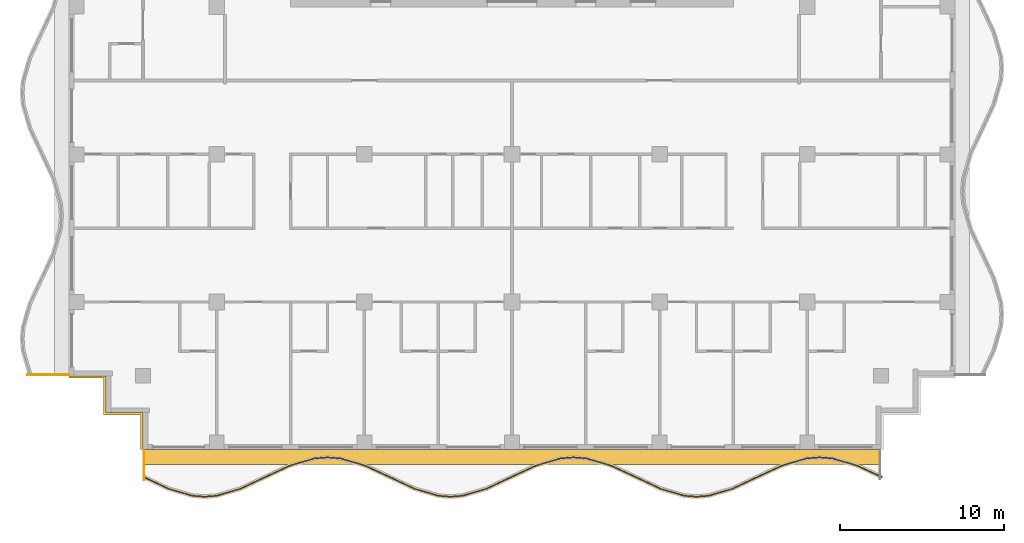
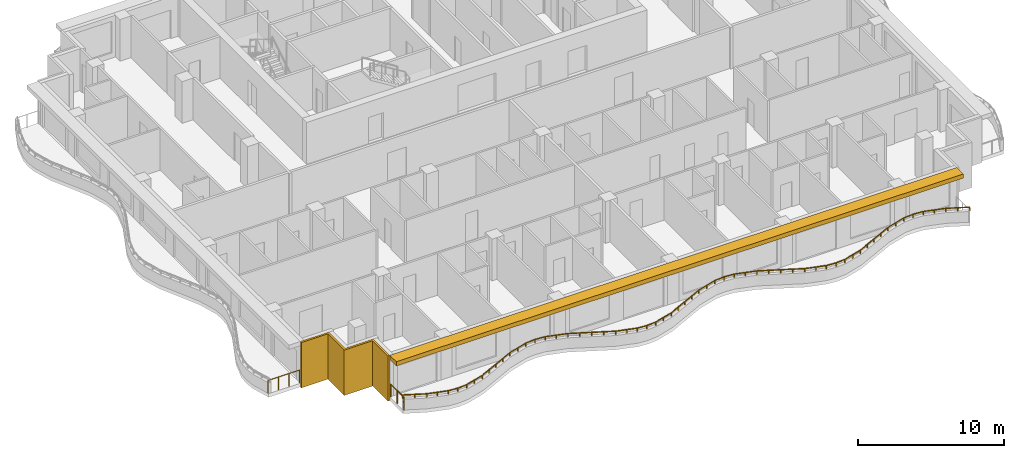
# One storey, part 8 of 11: 3 railings, 2 shading devices.
"""IFC4 building model written with IfcOpenShell, lengths in metres."""

from ifc_helpers import new_model, si_unit, direction, frame, origin, origin_2d, place, context, subcontext, project, spatial, polyline, rectangle, outline, extrude, material, layer, layer_set, type_object, element, save


model = new_model("IFC4")

# Units and contexts
model_context = context("Model", 3, precision=1e-05, world=origin(), true_north=direction((0.0, 1.0)))
body_context = subcontext(model_context, "Body", "Model", "MODEL_VIEW")
ifc_project = project(units=[si_unit("LENGTHUNIT", "METRE"), si_unit("AREAUNIT", "SQUARE_METRE"), si_unit("VOLUMEUNIT", "CUBIC_METRE"), si_unit("PLANEANGLEUNIT", "RADIAN"), si_unit("MASSUNIT", "GRAM", prefix="KILO")], contexts=[model_context])

# Site, building, storey
site_placement = place(None, origin())
site = spatial("IfcSite", under=ifc_project, at=site_placement, CompositionType="ELEMENT")
building_placement = place(site_placement, origin())
building = spatial("IfcBuilding", under=site, at=building_placement, Name="Orbiselva Terraces", CompositionType="ELEMENT")
storey_placement = place(building_placement, frame((0.0, 0.0, 273.0)))
storey = spatial("IfcBuildingStorey", under=building, at=storey_placement, Name="L69", CompositionType="ELEMENT", Elevation=273.0)

# Railings
ifc_material_1 = material(Name="Bonded two-ply safety glass balustrade, stainless steel posts", Category="steel")
railing_type_1 = type_object("IfcRailingType", Name="ENV-BALUSTRADE-1200", PredefinedType="BALUSTRADE", material=ifc_material_1)
railing_1_placement = place(storey_placement, frame((-22.446809, -24.186882, 0.9)))
element("IfcRailing", 1, at=railing_1_placement, inside=storey, type_object=railing_type_1, Name="Balcony balustrade L69 S", PredefinedType="BALUSTRADE", context=body_context, shape_type="SweptSolid", body=[
    extrude(outline(polyline([(0.028868, 0.0), (0.014434, 0.025), (-0.014434, 0.025), (-0.028868, 0.0), (-0.014434, -0.025), (0.014434, -0.025), (0.028868, 0.0)])), frame((0.0, 0.0, 0.275), z_axis=(0.904944359461, -0.425529912322, 0.0), x_axis=(0.425529912322, 0.904944359461, 0.0)), (0.0, 0.0, 1.0), 1.647746),
    extrude(outline(polyline([(0.028868, 0.0), (0.014434, 0.025), (-0.014434, 0.025), (-0.028868, 0.0), (-0.014434, -0.025), (0.014434, -0.025), (0.028868, 0.0)])), frame((1.491118, -0.701165, 0.275), z_axis=(0.960270317007, -0.279071528957, 0.0), x_axis=(0.279071528957, 0.960270317007, 0.0)), (0.0, 0.0, 1.0), 1.539408),
    extrude(outline(polyline([(0.028868, 0.0), (0.014434, 0.025), (-0.014434, 0.025), (-0.028868, 0.0), (-0.014434, -0.025), (0.014434, -0.025), (0.028868, 0.0)])), frame((2.969366, -1.13077, 0.275), z_axis=(0.996947916106, -0.078069536776, 0.0), x_axis=(0.078069536776, 0.996947916106, 0.0)), (0.0, 0.0, 1.0), 0.72967),
    extrude(outline(polyline([(0.028868, 0.0), (0.014434, 0.025), (-0.014434, 0.025), (-0.028868, 0.0), (-0.014434, -0.025), (0.014434, -0.025), (0.028868, 0.0)])), frame((3.696809, -1.187735, 0.275), z_axis=(0.996947916106, 0.078069536776, 0.0), x_axis=(-0.078069536776, 0.996947916106, 0.0)), (0.0, 0.0, 1.0), 0.72967),
    extrude(outline(polyline([(0.028868, 0.0), (0.014434, 0.025), (-0.014434, 0.025), (-0.028868, 0.0), (-0.014434, -0.025), (0.014434, -0.025), (0.028868, 0.0)])), frame((4.424252, -1.13077, 0.275), z_axis=(0.960270317007, 0.279071528957, 0.0), x_axis=(-0.279071528957, 0.960270317007, 0.0)), (0.0, 0.0, 1.0), 1.539408),
    extrude(outline(polyline([(0.028868, 0.0), (0.014434, 0.025), (-0.014434, 0.025), (-0.028868, 0.0), (-0.014434, -0.025), (0.014434, -0.025), (0.028868, 0.0)])), frame((5.9025, -0.701165, 0.275), z_axis=(0.904944359461, 0.425529912322, 0.0), x_axis=(-0.425529912322, 0.904944359461, 0.0)), (0.0, 0.0, 1.0), 1.647746),
    extrude(outline(polyline([(0.028868, 0.0), (0.014434, 0.025), (-0.014434, 0.025), (-0.028868, 0.0), (-0.014434, -0.025), (0.014434, -0.025), (0.028868, 0.0)])), frame((7.393618, 0.0, 0.275), z_axis=(0.904944157382, 0.425530342069, 0.0), x_axis=(-0.425530342069, 0.904944157382, 0.0)), (0.0, 0.0, 1.0), 1.667376),
    extrude(outline(polyline([(0.028868, 0.0), (0.014434, 0.025), (-0.014434, 0.025), (-0.028868, 0.0), (-0.014434, -0.025), (0.014434, -0.025), (0.028868, 0.0)])), frame((8.9025, 0.709519, 0.275), z_axis=(0.960270491427, 0.279070928786, 0.0), x_axis=(-0.279070928786, 0.960270491427, 0.0)), (0.0, 0.0, 1.0), 1.584712),
    extrude(outline(polyline([(0.028868, 0.0), (0.014434, 0.025), (-0.014434, 0.025), (-0.028868, 0.0), (-0.014434, -0.025), (0.014434, -0.025), (0.028868, 0.0)])), frame((10.424252, 1.151766, 0.275), z_axis=(0.996947796737, 0.078071061106, 0.0), x_axis=(-0.078071061106, 0.996947796737, 0.0)), (0.0, 0.0, 1.0), 0.774922),
    extrude(outline(polyline([(0.028868, 0.0), (0.014434, 0.025), (-0.014434, 0.025), (-0.028868, 0.0), (-0.014434, -0.025), (0.014434, -0.025), (0.028868, 0.0)])), frame((11.196809, 1.212265, 0.275), z_axis=(0.996947796737, -0.078071061106, 0.0), x_axis=(0.078071061106, 0.996947796737, 0.0)), (0.0, 0.0, 1.0), 0.774922),
    extrude(outline(polyline([(0.028868, 0.0), (0.014434, 0.025), (-0.014434, 0.025), (-0.028868, 0.0), (-0.014434, -0.025), (0.014434, -0.025), (0.028868, 0.0)])), frame((11.969366, 1.151766, 0.275), z_axis=(0.960270491427, -0.279070928786, 0.0), x_axis=(0.279070928786, 0.960270491427, 0.0)), (0.0, 0.0, 1.0), 1.584712),
    extrude(outline(polyline([(0.028868, 0.0), (0.014434, 0.025), (-0.014434, 0.025), (-0.028868, 0.0), (-0.014434, -0.025), (0.014434, -0.025), (0.028868, 0.0)])), frame((13.491118, 0.709519, 0.275), z_axis=(0.904944157382, -0.425530342069, 0.0), x_axis=(0.425530342069, 0.904944157382, 0.0)), (0.0, 0.0, 1.0), 1.667376),
    extrude(outline(polyline([(0.028868, 0.0), (0.014434, 0.025), (-0.014434, 0.025), (-0.028868, 0.0), (-0.014434, -0.025), (0.014434, -0.025), (0.028868, 0.0)])), frame((15.0, 0.0, 0.275), z_axis=(0.904944359461, -0.425529912322, 0.0), x_axis=(0.425529912322, 0.904944359461, 0.0)), (0.0, 0.0, 1.0), 1.647746),
    extrude(outline(polyline([(0.028868, 0.0), (0.014434, 0.025), (-0.014434, 0.025), (-0.028868, 0.0), (-0.014434, -0.025), (0.014434, -0.025), (0.028868, 0.0)])), frame((16.491118, -0.701165, 0.275), z_axis=(0.960270317007, -0.279071528957, 0.0), x_axis=(0.279071528957, 0.960270317007, 0.0)), (0.0, 0.0, 1.0), 1.539408),
    extrude(outline(polyline([(0.028868, 0.0), (0.014434, 0.025), (-0.014434, 0.025), (-0.028868, 0.0), (-0.014434, -0.025), (0.014434, -0.025), (0.028868, 0.0)])), frame((17.969366, -1.13077, 0.275), z_axis=(0.996947916106, -0.078069536776, 0.0), x_axis=(0.078069536776, 0.996947916106, 0.0)), (0.0, 0.0, 1.0), 0.72967),
    extrude(outline(polyline([(0.028868, 0.0), (0.014434, 0.025), (-0.014434, 0.025), (-0.028868, 0.0), (-0.014434, -0.025), (0.014434, -0.025), (0.028868, 0.0)])), frame((18.696809, -1.187735, 0.275), z_axis=(0.996947916106, 0.078069536776, 0.0), x_axis=(-0.078069536776, 0.996947916106, 0.0)), (0.0, 0.0, 1.0), 0.72967),
    extrude(outline(polyline([(0.028868, 0.0), (0.014434, 0.025), (-0.014434, 0.025), (-0.028868, 0.0), (-0.014434, -0.025), (0.014434, -0.025), (0.028868, 0.0)])), frame((19.424252, -1.13077, 0.275), z_axis=(0.960270317007, 0.279071528957, 0.0), x_axis=(-0.279071528957, 0.960270317007, 0.0)), (0.0, 0.0, 1.0), 1.539408),
    extrude(outline(polyline([(0.028868, 0.0), (0.014434, 0.025), (-0.014434, 0.025), (-0.028868, 0.0), (-0.014434, -0.025), (0.014434, -0.025), (0.028868, 0.0)])), frame((20.9025, -0.701165, 0.275), z_axis=(0.904944359461, 0.425529912322, 0.0), x_axis=(-0.425529912322, 0.904944359461, 0.0)), (0.0, 0.0, 1.0), 1.647746),
    extrude(outline(polyline([(0.028868, 0.0), (0.014434, 0.025), (-0.014434, 0.025), (-0.028868, 0.0), (-0.014434, -0.025), (0.014434, -0.025), (0.028868, 0.0)])), frame((22.393618, 0.0, 0.275), z_axis=(0.904944157382, 0.425530342069, 0.0), x_axis=(-0.425530342069, 0.904944157382, 0.0)), (0.0, 0.0, 1.0), 1.667376),
    extrude(outline(polyline([(0.028868, 0.0), (0.014434, 0.025), (-0.014434, 0.025), (-0.028868, 0.0), (-0.014434, -0.025), (0.014434, -0.025), (0.028868, 0.0)])), frame((23.9025, 0.709519, 0.275), z_axis=(0.960270491427, 0.279070928786, 0.0), x_axis=(-0.279070928786, 0.960270491427, 0.0)), (0.0, 0.0, 1.0), 1.584712),
    extrude(outline(polyline([(0.028868, 0.0), (0.014434, 0.025), (-0.014434, 0.025), (-0.028868, 0.0), (-0.014434, -0.025), (0.014434, -0.025), (0.028868, 0.0)])), frame((25.424252, 1.151766, 0.275), z_axis=(0.996947796737, 0.078071061106, 0.0), x_axis=(-0.078071061106, 0.996947796737, 0.0)), (0.0, 0.0, 1.0), 0.774922),
    extrude(outline(polyline([(0.028868, 0.0), (0.014434, 0.025), (-0.014434, 0.025), (-0.028868, 0.0), (-0.014434, -0.025), (0.014434, -0.025), (0.028868, 0.0)])), frame((26.196809, 1.212265, 0.275), z_axis=(0.996947796737, -0.078071061106, 0.0), x_axis=(0.078071061106, 0.996947796737, 0.0)), (0.0, 0.0, 1.0), 0.774922),
    extrude(outline(polyline([(0.028868, 0.0), (0.014434, 0.025), (-0.014434, 0.025), (-0.028868, 0.0), (-0.014434, -0.025), (0.014434, -0.025), (0.028868, 0.0)])), frame((26.969366, 1.151766, 0.275), z_axis=(0.960270491427, -0.279070928786, 0.0), x_axis=(0.279070928786, 0.960270491427, 0.0)), (0.0, 0.0, 1.0), 1.584712),
    extrude(outline(polyline([(0.028868, 0.0), (0.014434, 0.025), (-0.014434, 0.025), (-0.028868, 0.0), (-0.014434, -0.025), (0.014434, -0.025), (0.028868, 0.0)])), frame((28.491118, 0.709519, 0.275), z_axis=(0.904944157382, -0.425530342069, 0.0), x_axis=(0.425530342069, 0.904944157382, 0.0)), (0.0, 0.0, 1.0), 1.667376),
    extrude(outline(polyline([(0.028868, 0.0), (0.014434, 0.025), (-0.014434, 0.025), (-0.028868, 0.0), (-0.014434, -0.025), (0.014434, -0.025), (0.028868, 0.0)])), frame((30.0, 0.0, 0.275), z_axis=(0.904944359461, -0.425529912322, 0.0), x_axis=(0.425529912322, 0.904944359461, 0.0)), (0.0, 0.0, 1.0), 1.647746),
    extrude(outline(polyline([(0.028868, 0.0), (0.014434, 0.025), (-0.014434, 0.025), (-0.028868, 0.0), (-0.014434, -0.025), (0.014434, -0.025), (0.028868, 0.0)])), frame((31.491118, -0.701165, 0.275), z_axis=(0.960270317007, -0.279071528957, 0.0), x_axis=(0.279071528957, 0.960270317007, 0.0)), (0.0, 0.0, 1.0), 1.539408),
    extrude(outline(polyline([(0.028868, 0.0), (0.014434, 0.025), (-0.014434, 0.025), (-0.028868, 0.0), (-0.014434, -0.025), (0.014434, -0.025), (0.028868, 0.0)])), frame((32.969366, -1.13077, 0.275), z_axis=(0.996947916106, -0.078069536776, 0.0), x_axis=(0.078069536776, 0.996947916106, 0.0)), (0.0, 0.0, 1.0), 0.72967),
    extrude(outline(polyline([(0.028868, 0.0), (0.014434, 0.025), (-0.014434, 0.025), (-0.028868, 0.0), (-0.014434, -0.025), (0.014434, -0.025), (0.028868, 0.0)])), frame((33.696809, -1.187735, 0.275), z_axis=(0.996947916106, 0.078069536776, 0.0), x_axis=(-0.078069536776, 0.996947916106, 0.0)), (0.0, 0.0, 1.0), 0.72967),
    extrude(outline(polyline([(0.028868, 0.0), (0.014434, 0.025), (-0.014434, 0.025), (-0.028868, 0.0), (-0.014434, -0.025), (0.014434, -0.025), (0.028868, 0.0)])), frame((34.424252, -1.13077, 0.275), z_axis=(0.960270317007, 0.279071528957, 0.0), x_axis=(-0.279071528957, 0.960270317007, 0.0)), (0.0, 0.0, 1.0), 1.539408),
    extrude(outline(polyline([(0.028868, 0.0), (0.014434, 0.025), (-0.014434, 0.025), (-0.028868, 0.0), (-0.014434, -0.025), (0.014434, -0.025), (0.028868, 0.0)])), frame((35.9025, -0.701165, 0.275), z_axis=(0.904944359461, 0.425529912322, 0.0), x_axis=(-0.425529912322, 0.904944359461, 0.0)), (0.0, 0.0, 1.0), 1.647746),
    extrude(outline(polyline([(0.028868, 0.0), (0.014434, 0.025), (-0.014434, 0.025), (-0.028868, 0.0), (-0.014434, -0.025), (0.014434, -0.025), (0.028868, 0.0)])), frame((37.393618, 0.0, 0.275), z_axis=(0.904944157382, 0.425530342069, 0.0), x_axis=(-0.425530342069, 0.904944157382, 0.0)), (0.0, 0.0, 1.0), 1.667376),
    extrude(outline(polyline([(0.028868, 0.0), (0.014434, 0.025), (-0.014434, 0.025), (-0.028868, 0.0), (-0.014434, -0.025), (0.014434, -0.025), (0.028868, 0.0)])), frame((38.9025, 0.709519, 0.275), z_axis=(0.960270491427, 0.279070928786, 0.0), x_axis=(-0.279070928786, 0.960270491427, 0.0)), (0.0, 0.0, 1.0), 1.584712),
    extrude(outline(polyline([(0.028868, 0.0), (0.014434, 0.025), (-0.014434, 0.025), (-0.028868, 0.0), (-0.014434, -0.025), (0.014434, -0.025), (0.028868, 0.0)])), frame((40.424252, 1.151766, 0.275), z_axis=(0.996947796737, 0.078071061106, 0.0), x_axis=(-0.078071061106, 0.996947796737, 0.0)), (0.0, 0.0, 1.0), 0.774922),
    extrude(outline(polyline([(0.028868, 0.0), (0.014434, 0.025), (-0.014434, 0.025), (-0.028868, 0.0), (-0.014434, -0.025), (0.014434, -0.025), (0.028868, 0.0)])), frame((41.196809, 1.212265, 0.275), z_axis=(0.996947796737, -0.078071061106, 0.0), x_axis=(0.078071061106, 0.996947796737, 0.0)), (0.0, 0.0, 1.0), 0.774922),
    extrude(outline(polyline([(0.028868, 0.0), (0.014434, 0.025), (-0.014434, 0.025), (-0.028868, 0.0), (-0.014434, -0.025), (0.014434, -0.025), (0.028868, 0.0)])), frame((41.969366, 1.151766, 0.275), z_axis=(0.960270491427, -0.279070928786, 0.0), x_axis=(0.279070928786, 0.960270491427, 0.0)), (0.0, 0.0, 1.0), 1.584712),
    extrude(outline(polyline([(0.028868, 0.0), (0.014434, 0.025), (-0.014434, 0.025), (-0.028868, 0.0), (-0.014434, -0.025), (0.014434, -0.025), (0.028868, 0.0)])), frame((43.491118, 0.709519, 0.275), z_axis=(0.904944157382, -0.425530342069, 0.0), x_axis=(0.425530342069, 0.904944157382, 0.0)), (0.0, 0.0, 1.0), 1.667376),
    extrude(rectangle(XDim=0.05, YDim=0.05, at=origin_2d()), origin(), (0.0, 0.0, 1.0), 0.25),
    extrude(rectangle(XDim=0.05, YDim=0.05, at=origin_2d()), frame((0.745559, -0.350582, 0.0)), (0.0, 0.0, 1.0), 0.25),
    extrude(rectangle(XDim=0.05, YDim=0.05, at=origin_2d()), frame((1.491118, -0.701165, 0.0)), (0.0, 0.0, 1.0), 0.25),
    extrude(rectangle(XDim=0.05, YDim=0.05, at=origin_2d()), frame((2.230242, -0.915967, 0.0)), (0.0, 0.0, 1.0), 0.25),
    extrude(rectangle(XDim=0.05, YDim=0.05, at=origin_2d()), frame((2.969366, -1.13077, 0.0)), (0.0, 0.0, 1.0), 0.25),
    extrude(rectangle(XDim=0.05, YDim=0.05, at=origin_2d()), frame((3.696809, -1.187735, 0.0)), (0.0, 0.0, 1.0), 0.25),
    extrude(rectangle(XDim=0.05, YDim=0.05, at=origin_2d()), frame((4.424252, -1.13077, 0.0)), (0.0, 0.0, 1.0), 0.25),
    extrude(rectangle(XDim=0.05, YDim=0.05, at=origin_2d()), frame((5.163376, -0.915967, 0.0)), (0.0, 0.0, 1.0), 0.25),
    extrude(rectangle(XDim=0.05, YDim=0.05, at=origin_2d()), frame((5.9025, -0.701165, 0.0)), (0.0, 0.0, 1.0), 0.25),
    extrude(rectangle(XDim=0.05, YDim=0.05, at=origin_2d()), frame((6.648059, -0.350582, 0.0)), (0.0, 0.0, 1.0), 0.25),
    extrude(rectangle(XDim=0.05, YDim=0.05, at=origin_2d()), frame((7.393618, 0.0, 0.0)), (0.0, 0.0, 1.0), 0.25),
    extrude(rectangle(XDim=0.05, YDim=0.05, at=origin_2d()), frame((8.148059, 0.35476, 0.0)), (0.0, 0.0, 1.0), 0.25),
    extrude(rectangle(XDim=0.05, YDim=0.05, at=origin_2d()), frame((8.9025, 0.709519, 0.0)), (0.0, 0.0, 1.0), 0.25),
    extrude(rectangle(XDim=0.05, YDim=0.05, at=origin_2d()), frame((9.663376, 0.930643, 0.0)), (0.0, 0.0, 1.0), 0.25),
    extrude(rectangle(XDim=0.05, YDim=0.05, at=origin_2d()), frame((10.424252, 1.151766, 0.0)), (0.0, 0.0, 1.0), 0.25),
    extrude(rectangle(XDim=0.05, YDim=0.05, at=origin_2d()), frame((11.196809, 1.212265, 0.0)), (0.0, 0.0, 1.0), 0.25),
    extrude(rectangle(XDim=0.05, YDim=0.05, at=origin_2d()), frame((11.969366, 1.151766, 0.0)), (0.0, 0.0, 1.0), 0.25),
    extrude(rectangle(XDim=0.05, YDim=0.05, at=origin_2d()), frame((12.730242, 0.930643, 0.0)), (0.0, 0.0, 1.0), 0.25),
    extrude(rectangle(XDim=0.05, YDim=0.05, at=origin_2d()), frame((13.491118, 0.709519, 0.0)), (0.0, 0.0, 1.0), 0.25),
    extrude(rectangle(XDim=0.05, YDim=0.05, at=origin_2d()), frame((14.245559, 0.35476, 0.0)), (0.0, 0.0, 1.0), 0.25),
    extrude(rectangle(XDim=0.05, YDim=0.05, at=origin_2d()), frame((15.0, 0.0, 0.0)), (0.0, 0.0, 1.0), 0.25),
    extrude(rectangle(XDim=0.05, YDim=0.05, at=origin_2d()), frame((15.745559, -0.350582, 0.0)), (0.0, 0.0, 1.0), 0.25),
    extrude(rectangle(XDim=0.05, YDim=0.05, at=origin_2d()), frame((16.491118, -0.701165, 0.0)), (0.0, 0.0, 1.0), 0.25),
    extrude(rectangle(XDim=0.05, YDim=0.05, at=origin_2d()), frame((17.230242, -0.915967, 0.0)), (0.0, 0.0, 1.0), 0.25),
    extrude(rectangle(XDim=0.05, YDim=0.05, at=origin_2d()), frame((17.969366, -1.13077, 0.0)), (0.0, 0.0, 1.0), 0.25),
    extrude(rectangle(XDim=0.05, YDim=0.05, at=origin_2d()), frame((18.696809, -1.187735, 0.0)), (0.0, 0.0, 1.0), 0.25),
    extrude(rectangle(XDim=0.05, YDim=0.05, at=origin_2d()), frame((19.424252, -1.13077, 0.0)), (0.0, 0.0, 1.0), 0.25),
    extrude(rectangle(XDim=0.05, YDim=0.05, at=origin_2d()), frame((20.163376, -0.915967, 0.0)), (0.0, 0.0, 1.0), 0.25),
    extrude(rectangle(XDim=0.05, YDim=0.05, at=origin_2d()), frame((20.9025, -0.701165, 0.0)), (0.0, 0.0, 1.0), 0.25),
    extrude(rectangle(XDim=0.05, YDim=0.05, at=origin_2d()), frame((21.648059, -0.350582, 0.0)), (0.0, 0.0, 1.0), 0.25),
    extrude(rectangle(XDim=0.05, YDim=0.05, at=origin_2d()), frame((22.393618, 0.0, 0.0)), (0.0, 0.0, 1.0), 0.25),
    extrude(rectangle(XDim=0.05, YDim=0.05, at=origin_2d()), frame((23.148059, 0.35476, 0.0)), (0.0, 0.0, 1.0), 0.25),
    extrude(rectangle(XDim=0.05, YDim=0.05, at=origin_2d()), frame((23.9025, 0.709519, 0.0)), (0.0, 0.0, 1.0), 0.25),
    extrude(rectangle(XDim=0.05, YDim=0.05, at=origin_2d()), frame((24.663376, 0.930643, 0.0)), (0.0, 0.0, 1.0), 0.25),
    extrude(rectangle(XDim=0.05, YDim=0.05, at=origin_2d()), frame((25.424252, 1.151766, 0.0)), (0.0, 0.0, 1.0), 0.25),
    extrude(rectangle(XDim=0.05, YDim=0.05, at=origin_2d()), frame((26.196809, 1.212265, 0.0)), (0.0, 0.0, 1.0), 0.25),
    extrude(rectangle(XDim=0.05, YDim=0.05, at=origin_2d()), frame((26.969366, 1.151766, 0.0)), (0.0, 0.0, 1.0), 0.25),
    extrude(rectangle(XDim=0.05, YDim=0.05, at=origin_2d()), frame((27.730242, 0.930643, 0.0)), (0.0, 0.0, 1.0), 0.25),
    extrude(rectangle(XDim=0.05, YDim=0.05, at=origin_2d()), frame((28.491118, 0.709519, 0.0)), (0.0, 0.0, 1.0), 0.25),
    extrude(rectangle(XDim=0.05, YDim=0.05, at=origin_2d()), frame((29.245559, 0.35476, 0.0)), (0.0, 0.0, 1.0), 0.25),
    extrude(rectangle(XDim=0.05, YDim=0.05, at=origin_2d()), frame((30.0, 0.0, 0.0)), (0.0, 0.0, 1.0), 0.25),
    extrude(rectangle(XDim=0.05, YDim=0.05, at=origin_2d()), frame((30.745559, -0.350582, 0.0)), (0.0, 0.0, 1.0), 0.25),
    extrude(rectangle(XDim=0.05, YDim=0.05, at=origin_2d()), frame((31.491118, -0.701165, 0.0)), (0.0, 0.0, 1.0), 0.25),
    extrude(rectangle(XDim=0.05, YDim=0.05, at=origin_2d()), frame((32.230242, -0.915967, 0.0)), (0.0, 0.0, 1.0), 0.25),
    extrude(rectangle(XDim=0.05, YDim=0.05, at=origin_2d()), frame((32.969366, -1.13077, 0.0)), (0.0, 0.0, 1.0), 0.25),
    extrude(rectangle(XDim=0.05, YDim=0.05, at=origin_2d()), frame((33.696809, -1.187735, 0.0)), (0.0, 0.0, 1.0), 0.25),
    extrude(rectangle(XDim=0.05, YDim=0.05, at=origin_2d()), frame((34.424252, -1.13077, 0.0)), (0.0, 0.0, 1.0), 0.25),
    extrude(rectangle(XDim=0.05, YDim=0.05, at=origin_2d()), frame((35.163376, -0.915967, 0.0)), (0.0, 0.0, 1.0), 0.25),
    extrude(rectangle(XDim=0.05, YDim=0.05, at=origin_2d()), frame((35.9025, -0.701165, 0.0)), (0.0, 0.0, 1.0), 0.25),
    extrude(rectangle(XDim=0.05, YDim=0.05, at=origin_2d()), frame((36.648059, -0.350582, 0.0)), (0.0, 0.0, 1.0), 0.25),
    extrude(rectangle(XDim=0.05, YDim=0.05, at=origin_2d()), frame((37.393618, 0.0, 0.0)), (0.0, 0.0, 1.0), 0.25),
    extrude(rectangle(XDim=0.05, YDim=0.05, at=origin_2d()), frame((38.148059, 0.35476, 0.0)), (0.0, 0.0, 1.0), 0.25),
    extrude(rectangle(XDim=0.05, YDim=0.05, at=origin_2d()), frame((38.9025, 0.709519, 0.0)), (0.0, 0.0, 1.0), 0.25),
    extrude(rectangle(XDim=0.05, YDim=0.05, at=origin_2d()), frame((39.663376, 0.930643, 0.0)), (0.0, 0.0, 1.0), 0.25),
    extrude(rectangle(XDim=0.05, YDim=0.05, at=origin_2d()), frame((40.424252, 1.151766, 0.0)), (0.0, 0.0, 1.0), 0.25),
    extrude(rectangle(XDim=0.05, YDim=0.05, at=origin_2d()), frame((41.196809, 1.212265, 0.0)), (0.0, 0.0, 1.0), 0.25),
    extrude(rectangle(XDim=0.05, YDim=0.05, at=origin_2d()), frame((41.969366, 1.151766, 0.0)), (0.0, 0.0, 1.0), 0.25),
    extrude(rectangle(XDim=0.05, YDim=0.05, at=origin_2d()), frame((42.730242, 0.930643, 0.0)), (0.0, 0.0, 1.0), 0.25),
    extrude(rectangle(XDim=0.05, YDim=0.05, at=origin_2d()), frame((43.491118, 0.709519, 0.0)), (0.0, 0.0, 1.0), 0.25),
    extrude(rectangle(XDim=0.05, YDim=0.05, at=origin_2d()), frame((44.245559, 0.35476, 0.0)), (0.0, 0.0, 1.0), 0.25),
    extrude(rectangle(XDim=0.05, YDim=0.05, at=origin_2d()), frame((45.0, 0.0, 0.0)), (0.0, 0.0, 1.0), 0.25),
])
ifc_material_2 = material(Name="Stainless steel rail and posts", Category="steel")
railing_type_2 = type_object("IfcRailingType", Name="ENV-GUARD-1105", PredefinedType="BALUSTRADE", material=ifc_material_2)
railing_2_placement = place(storey_placement, frame((-22.44, -24.330156, 0.0)))
element("IfcRailing", 2, at=railing_2_placement, inside=storey, type_object=railing_type_2, Name="Balcony end guard L69 S", PredefinedType="BALUSTRADE", context=body_context, shape_type="SweptSolid", body=[
    extrude(outline(polyline([(0.028868, 0.0), (0.014434, 0.025), (-0.014434, 0.025), (-0.028868, 0.0), (-0.014434, -0.025), (0.014434, -0.025), (0.028868, 0.0)])), frame((0.0, 0.0, 1.08), z_axis=(0.0, 1.0, 0.0), x_axis=(-1.0, 0.0, 0.0)), (0.0, 0.0, 1.0), 1.805156),
    extrude(rectangle(XDim=0.05, YDim=0.05, at=origin_2d()), origin(), (0.0, 0.0, 1.0), 1.055),
    extrude(rectangle(XDim=0.05, YDim=0.05, at=origin_2d()), frame((0.0, 0.902578, 0.0)), (0.0, 0.0, 1.0), 1.055),
    extrude(rectangle(XDim=0.05, YDim=0.05, at=origin_2d()), frame((0.0, 1.805156, 0.0)), (0.0, 0.0, 1.0), 1.055),
])
railing_3_placement = place(storey_placement, frame((-29.529516, -17.94, 0.0)))
element("IfcRailing", 3, at=railing_3_placement, inside=storey, type_object=railing_type_2, Name="Balcony end guard L69 W", PredefinedType="BALUSTRADE", context=body_context, shape_type="SweptSolid", body=[
    extrude(outline(polyline([(0.028868, 0.0), (0.014434, 0.025), (-0.014434, 0.025), (-0.028868, 0.0), (-0.014434, -0.025), (0.014434, -0.025), (0.028868, 0.0)])), frame((0.0, 0.0, 1.08), z_axis=(1.0, 0.0, 0.0), x_axis=(0.0, 1.0, 0.0)), (0.0, 0.0, 1.0), 2.504516),
    extrude(rectangle(XDim=0.05, YDim=0.05, at=origin_2d()), origin(), (0.0, 0.0, 1.0), 1.055),
    extrude(rectangle(XDim=0.05, YDim=0.05, at=origin_2d()), frame((0.834839, 0.0, 0.0)), (0.0, 0.0, 1.0), 1.055),
    extrude(rectangle(XDim=0.05, YDim=0.05, at=origin_2d()), frame((1.669677, 0.0, 0.0)), (0.0, 0.0, 1.0), 1.055),
    extrude(rectangle(XDim=0.05, YDim=0.05, at=origin_2d()), frame((2.504516, 0.0, 0.0)), (0.0, 0.0, 1.0), 1.055),
])

# Shading devices
ifc_material_3 = material(Name="Terracotta louvre screen", Category="masonry")
ifc_layer_1 = layer(ifc_material_3, 0.15)
ifc_layer_set_1 = layer_set([ifc_layer_1], Name="Terracotta louvre screen")
shading_device_type_1 = type_object("IfcShadingDeviceType", Name="ENV-SCREEN-150", PredefinedType="USERDEFINED", material=ifc_layer_set_1)
shading_device_1_placement = place(storey_placement, frame((0.0, 0.0, -0.3)))
element("IfcShadingDevice", 4, at=shading_device_1_placement, inside=storey, type_object=shading_device_type_1, Name="Louvre screen L69 SW", ObjectType="SCREEN", PredefinedType="USERDEFINED", context=body_context, shape_type="SweptSolid", body=[
    extrude(outline(polyline([(-27.0, -18.15), (-24.9, -18.15), (-24.9, -20.4), (-22.65, -20.4), (-22.65, -22.5), (-22.5, -22.5), (-22.5, -20.25), (-24.75, -20.25), (-24.75, -18.0), (-27.0, -18.0), (-27.0, -18.15)])), origin(), (0.0, 0.0, 1.0), 3.8),
])
ifc_material_4 = material(Name="Terracotta baguette sunshade", Category="masonry")
ifc_layer_2 = layer(ifc_material_4, 0.35)
ifc_layer_set_2 = layer_set([ifc_layer_2], Name="Terracotta baguette sunshade")
shading_device_type_2 = type_object("IfcShadingDeviceType", Name="ENV-SUNSHADE-900x350", PredefinedType="USERDEFINED", material=ifc_layer_set_2)
shading_device_2_placement = place(storey_placement, frame((0.0, 0.0, 3.15)))
element("IfcShadingDevice", 5, at=shading_device_2_placement, inside=storey, type_object=shading_device_type_2, Name="Sunshade band L69 S", ObjectType="SUNSHADE", PredefinedType="USERDEFINED", context=body_context, shape_type="SweptSolid", body=[
    extrude(outline(polyline([(-22.5, -23.4), (22.5, -23.4), (22.5, -22.5), (-22.5, -22.5), (-22.5, -23.4)])), origin(), (0.0, 0.0, 1.0), 0.35),
])

save(model, "model.ifc")
